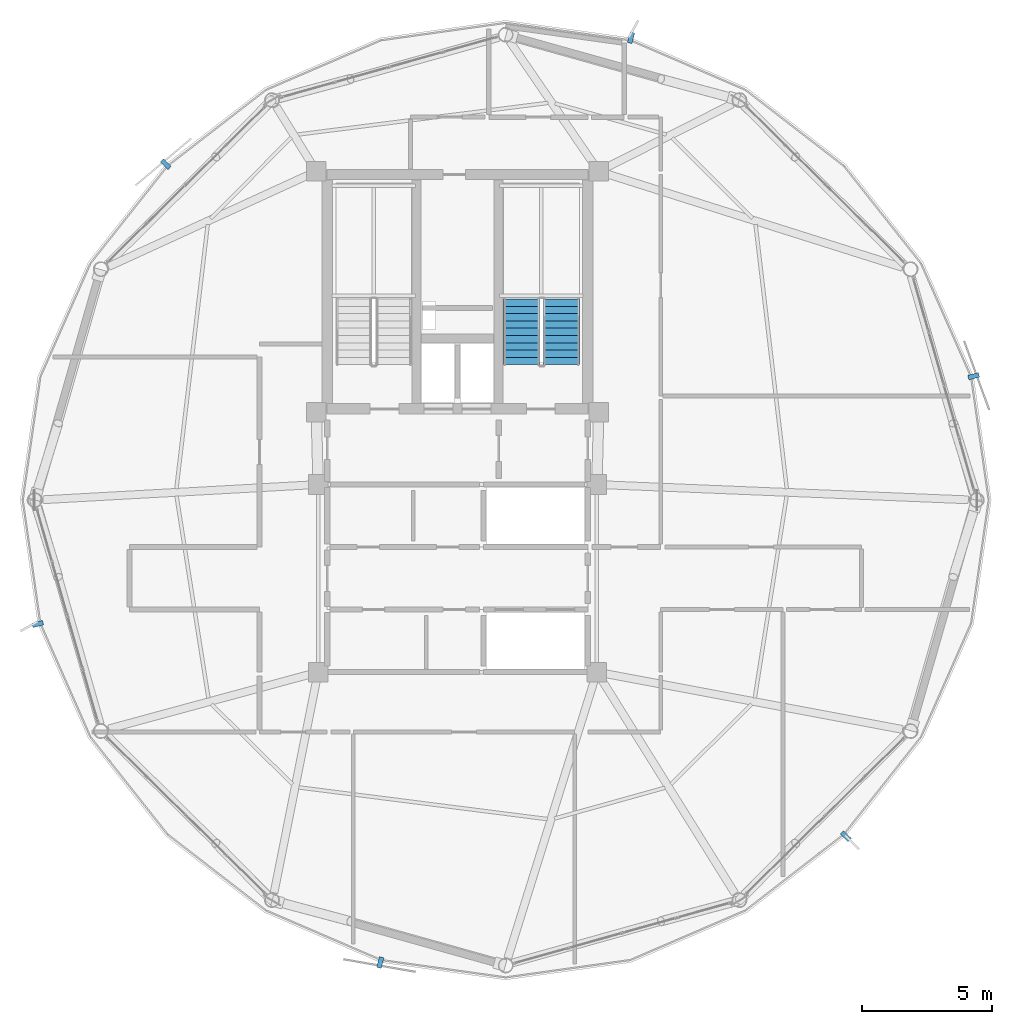
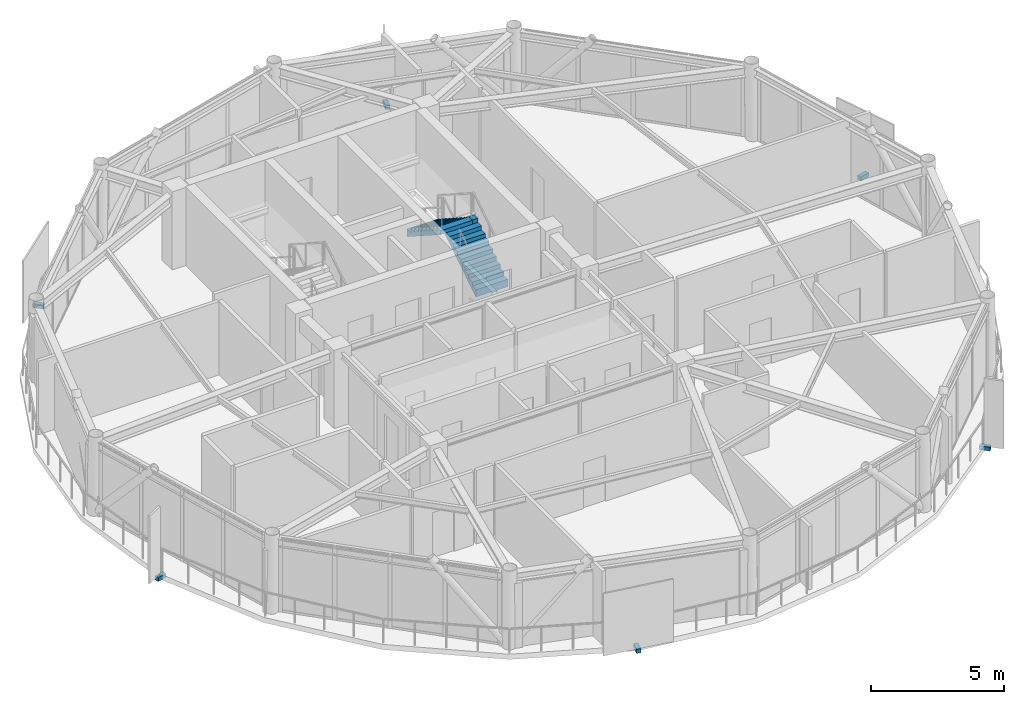
# One storey, part 22 of 26: 6 discrete accessories, 2 stair flights, 1 element without a shape of its own.
"""IFC4 building model written with IfcOpenShell, lengths in metres."""

from ifc_helpers import new_model, si_unit, direction, frame, origin, origin_2d, place, context, subcontext, project, spatial, polyline, rectangle, outline, extrude, source, transform, mapped, material, type_object, type_shapes, element, aggregate, save


model = new_model("IFC4")

# Units and contexts
model_context = context("Model", 3, precision=1e-05, world=origin(), true_north=direction((0.0, 1.0)))
body_context = subcontext(model_context, "Body", "Model", "MODEL_VIEW")
ifc_project = project(units=[si_unit("LENGTHUNIT", "METRE"), si_unit("AREAUNIT", "SQUARE_METRE"), si_unit("VOLUMEUNIT", "CUBIC_METRE"), si_unit("PLANEANGLEUNIT", "RADIAN"), si_unit("MASSUNIT", "GRAM", prefix="KILO")], contexts=[model_context])

# Site, building, storey
site_placement = place(None, origin())
site = spatial("IfcSite", under=ifc_project, at=site_placement, CompositionType="ELEMENT")
building_placement = place(site_placement, origin())
building = spatial("IfcBuilding", under=site, at=building_placement, Name="Varnakorn Sky Granary", CompositionType="ELEMENT")
storey_placement = place(building_placement, frame((0.0, 0.0, 270.60009765625)))
storey = spatial("IfcBuildingStorey", under=building, at=storey_placement, Name="L69", CompositionType="ELEMENT", Elevation=270.60009765625)

# Stair, stair flights
ifc_material_1 = material(Name="Concrete C40/50", Category="concrete")
stair_type = type_object("IfcStairType", Name="ST-MAIN-ASSEMBLY", PredefinedType="HALF_TURN_STAIR", material=ifc_material_1)
stair_placement = place(storey_placement, origin())
stair = element("IfcStair", 1, at=stair_placement, inside=storey, type_object=stair_type, Name="L69 Protected Exit Stair ST-2", PredefinedType="HALF_TURN_STAIR")
stair_flight_type = type_object("IfcStairFlightType", Name="ST-MAIN-FLIGHT", PredefinedType="STRAIGHT", material=ifc_material_1)
stair_flight_1_placement = place(storey_placement, frame((6.989990234375, 5.199951171875, 0.0), z_axis=(0.0, 0.0, 1.0), x_axis=(0.0, 1.0, 0.0)))
stair_flight_1 = element("IfcStairFlight", 2, at=stair_flight_1_placement, type_object=stair_flight_type, Name="ST-2 flight 1", NumberOfRisers=10, NumberOfTreads=9, PredefinedType="STRAIGHT", RiserHeight=0.18, TreadLength=0.28, context=body_context, shape_type="SweptSolid", body=[
    extrude(outline(polyline([(0.0, -0.14990234375), (0.0, 0.0), (0.0, 0.179931640625), (0.280029296875, 0.179931640625), (0.280029296875, 0.360107421875), (0.56005859375, 0.360107421875), (0.56005859375, 0.5400390625), (0.840087890625, 0.5400390625), (0.840087890625, 0.719970703125), (1.1201171875, 0.719970703125), (1.1201171875, 0.89990234375), (1.39990234375, 0.89990234375), (1.39990234375, 1.080078125), (1.679931640625, 1.080078125), (1.679931640625, 1.260009765625), (1.9599609375, 1.260009765625), (1.9599609375, 1.43994140625), (2.239990234375, 1.43994140625), (2.239990234375, 1.6201171875), (2.52001953125, 1.6201171875), (2.52001953125, 1.800048828125), (2.52001953125, 1.44189453125), (0.050048828125, -0.14990234375), (0.0, -0.14990234375)])), frame((0.0, 0.68994140625, 0.0), z_axis=(0.0, -1.0, 0.0), x_axis=(1.0, 0.0, 0.0)), (0.0, 0.0, 1.0), 1.3798828125),
])
stair_flight_2_placement = place(storey_placement, frame((5.4599609375, 7.719970703125, 1.7998046875), z_axis=(0.0, 0.0, 1.0), x_axis=(0.0, -1.0, 0.0)))
stair_flight_2 = element("IfcStairFlight", 3, at=stair_flight_2_placement, type_object=stair_flight_type, Name="ST-2 flight 2", NumberOfRisers=10, NumberOfTreads=9, PredefinedType="STRAIGHT", RiserHeight=0.18, TreadLength=0.28, context=body_context, shape_type="SweptSolid", body=[
    extrude(outline(polyline([(0.0, -0.14990234375), (0.0, 0.0), (0.0, 0.179931640625), (0.280029296875, 0.179931640625), (0.280029296875, 0.360107421875), (0.56005859375, 0.360107421875), (0.56005859375, 0.5400390625), (0.840087890625, 0.5400390625), (0.840087890625, 0.719970703125), (1.1201171875, 0.719970703125), (1.1201171875, 0.89990234375), (1.39990234375, 0.89990234375), (1.39990234375, 1.080078125), (1.679931640625, 1.080078125), (1.679931640625, 1.260009765625), (1.9599609375, 1.260009765625), (1.9599609375, 1.43994140625), (2.239990234375, 1.43994140625), (2.239990234375, 1.6201171875), (2.52001953125, 1.6201171875), (2.52001953125, 1.800048828125), (2.52001953125, 1.44189453125), (0.050048828125, -0.14990234375), (0.0, -0.14990234375)])), frame((0.0, 0.68994140625, 0.0), z_axis=(0.0, -1.0, 0.0), x_axis=(1.0, 0.0, 0.0)), (0.0, 0.0, 1.0), 1.3798828125),
])
aggregate(stair, [stair_flight_1, stair_flight_2])

# Discrete accessories
ifc_material_2 = material(Name="Steel S355JR", Category="steel")
discrete_accessory_type = type_object("IfcDiscreteAccessoryType", Name="AC-BRK-01", PredefinedType="BRACKET", material=ifc_material_2)
shared_shape = source(origin(), body_context, "Body", "SweptSolid", [
    extrude(rectangle(XDim=0.179931640625, YDim=0.419921875, at=origin_2d()), origin(), (0.0, 0.0, 1.0), 0.179931640625),
])
type_shapes(discrete_accessory_type, [shared_shape])
for number, where, z_axis, x_axis, name in (
    (4, (22.810546875, 4.755126953125, -0.2001953125), (0.0, 0.0, 1.0), (-0.25594095233, 0.966692416915, 0.0), "Facade Solar-Screen Outrigger Bracket L69-01"),
    (5, (9.662841796875, 17.747802734375, -0.2001953125), (0.0, 0.0, 1.0), (-0.965142530737, 0.261724846665, 0.0), "Facade Solar-Screen Outrigger Bracket L69-03"),
    (6, (-8.202880859375, 12.896484375, -0.2001953125), (0.0, 0.0, 1.0), (-0.702828813906, -0.711359022115, 0.0), "Facade Solar-Screen Outrigger Bracket L69-05"),
    (7, (-13.110595703125, -4.755126953125, -0.2001953125), (0.0, 0.0, 1.0), (0.25594095233, -0.966692416915, 0.0), "Facade Solar-Screen Outrigger Bracket L69-07"),
    (8, (0.037109375, -17.747802734375, -0.2001953125), (0.0, 0.0, 1.0), (0.965142530737, -0.261724846665, 0.0), "Facade Solar-Screen Outrigger Bracket L69-09"),
    (9, (17.903076171875, -12.896484375, -0.2001953125), (0.0, 0.0, 1.0), (0.702828813906, 0.711359022115, 0.0), "Facade Solar-Screen Outrigger Bracket L69-11"),
):
    element("IfcDiscreteAccessory", number, at=place(storey_placement, frame(where, z_axis=z_axis, x_axis=x_axis)), inside=storey, type_object=discrete_accessory_type, Name=name, PredefinedType="BRACKET", context=body_context, shape_type="MappedRepresentation", body=[
        mapped(shared_shape, transform((0.0, 0.0, 0.0), x_axis=(1.0, 0.0, 0.0), y_axis=(0.0, 1.0, 0.0), z_axis=(0.0, 0.0, 1.0), scale=1.0)),
    ])

save(model, "model.ifc")
